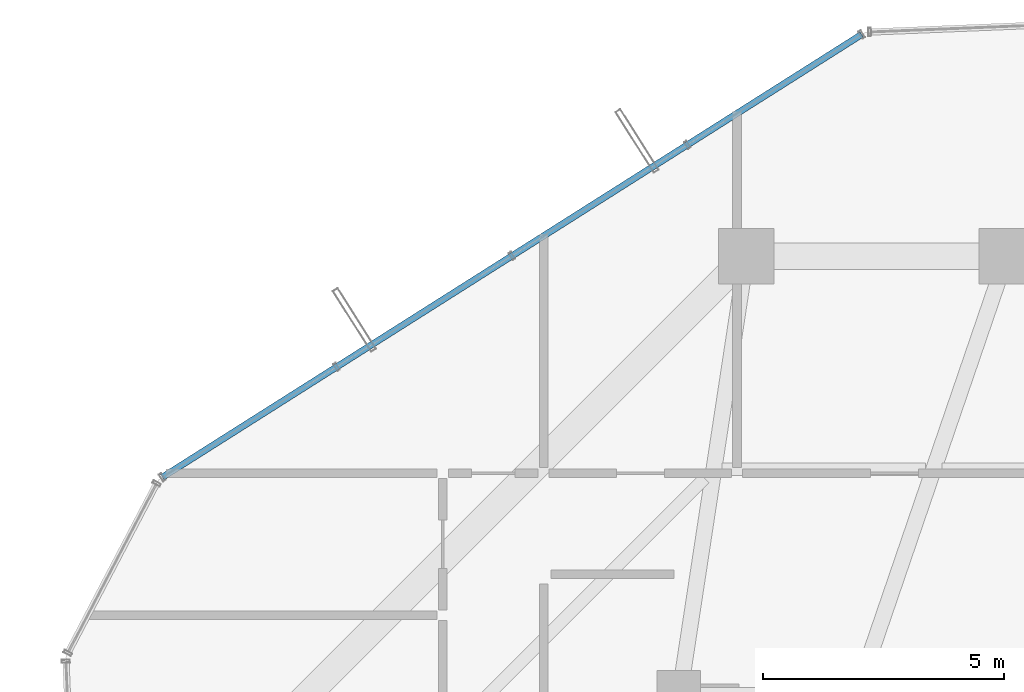
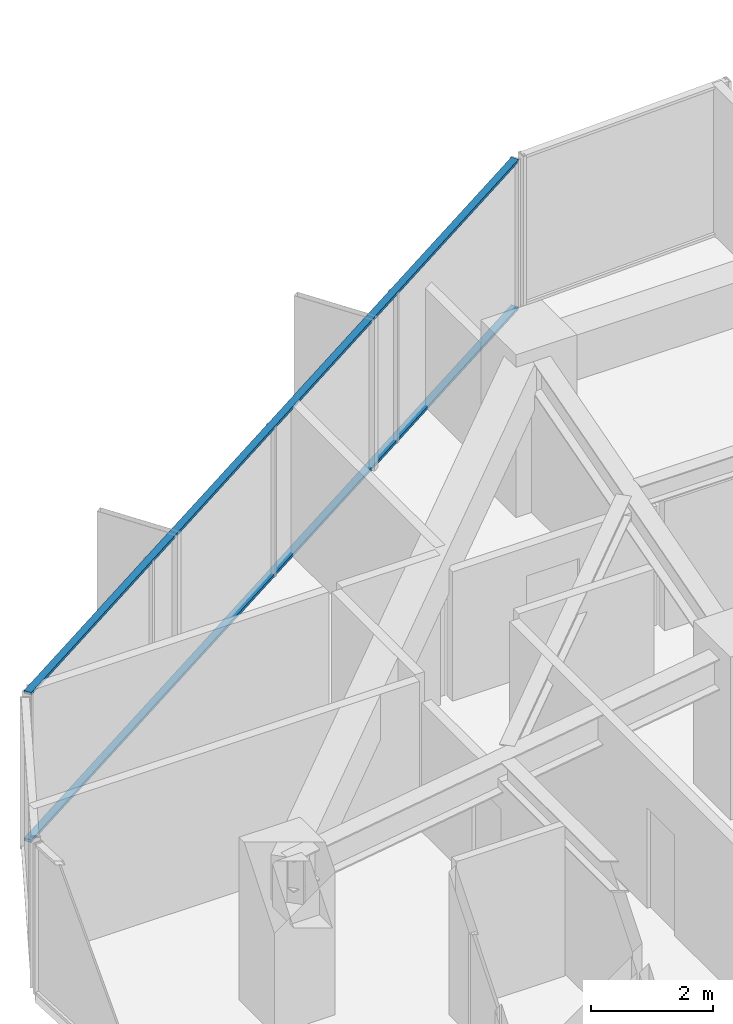
# One storey, part 19 of 32: 2 members, 1 element without a shape of its own.
"""IFC4 building model written with IfcOpenShell, lengths in metres."""

from ifc_helpers import new_model, si_unit, direction, frame, origin, origin_2d, place, context, subcontext, project, spatial, hollow_rectangle, extrude, source, transform, mapped, material, layer, layer_set, material_profile, profile_set, type_object, element, aggregate, save


model = new_model("IFC4")

# Units and contexts
model_context = context("Model", 3, precision=1e-05, world=origin(), true_north=direction((0.0, 1.0)))
body_context = subcontext(model_context, "Body", "Model", "MODEL_VIEW")
ifc_project = project(units=[si_unit("LENGTHUNIT", "METRE"), si_unit("AREAUNIT", "SQUARE_METRE"), si_unit("VOLUMEUNIT", "CUBIC_METRE"), si_unit("PLANEANGLEUNIT", "RADIAN"), si_unit("MASSUNIT", "GRAM", prefix="KILO")], contexts=[model_context])

# Site, building, storey
site_placement = place(None, origin())
site = spatial("IfcSite", under=ifc_project, at=site_placement, CompositionType="ELEMENT")
building_placement = place(site_placement, origin())
building = spatial("IfcBuilding", under=site, at=building_placement, Name="Veraguas Prism Commons", CompositionType="ELEMENT")
storey_placement = place(building_placement, frame((0.0, 0.0, 136.0)))
storey = spatial("IfcBuildingStorey", under=building, at=storey_placement, Name="L38", CompositionType="ELEMENT", Elevation=136.0)

# Curtain wall, members
ifc_material = material(Name="Anodised aluminium EN AW-6063 T6", Category="aluminium")
ifc_layer = layer(ifc_material, 0.169921875, Name="Unitised Flush Curtain Wall Zone 2", Category="aluminium")
ifc_layer_set = layer_set([ifc_layer], Name="Anodised aluminium EN AW-6063 T6")
curtain_wall_type = type_object("IfcCurtainWallType", Name="Unitised Flush Curtain Wall Zone 2", PredefinedType="NOTDEFINED", material=ifc_layer_set)
curtain_wall_placement = place(storey_placement, origin())
curtain_wall = element("IfcCurtainWall", 1, at=curtain_wall_placement, inside=storey, type_object=curtain_wall_type, Name="Tower Facade Curtain Wall L38-F2", PredefinedType="NOTDEFINED")
ifc_material_profile = material_profile(ifc_material, hollow_rectangle(XDim=0.054931640625, YDim=0.135009765625, WallThickness=0.0029296875, at=origin_2d()), Name="AL55X135X3")
ifc_profile_set = profile_set([ifc_material_profile], Name="Anodised aluminium EN AW-6063 T6")
member_type = type_object("IfcMemberType", Name="Curtain Wall Transom Standard AL 55x135x3", PredefinedType="USERDEFINED", material=ifc_profile_set)
shared_shape = source(origin(), body_context, "Body", "SweptSolid", [
    extrude(hollow_rectangle(XDim=0.054931640625, YDim=0.135009765625, WallThickness=0.0029296875, at=origin_2d()), origin(), (0.0, 0.0, 1.0), 17.17431640625),
])
member_1_placement = place(storey_placement, frame((20.99365234375, 44.800537109375, 0.027587890625), z_axis=(-0.844890821219, -0.53493878175, 0.0), x_axis=(0.0, 0.0, 1.0)))
member_1 = element("IfcMember", 2, at=member_1_placement, type_object=member_type, Name="CW-Z2 Transom 1", ObjectType="TRANSOM", PredefinedType="USERDEFINED", context=body_context, shape_type="MappedRepresentation", body=[
    mapped(shared_shape, transform((0.0, 0.0, 0.0), scale=1.0)),
])
member_2_placement = place(storey_placement, frame((20.99365234375, 44.800537109375, 2.972412109375), z_axis=(-0.844890821219, -0.53493878175, 0.0), x_axis=(0.0, 0.0, 1.0)))
member_2 = element("IfcMember", 3, at=member_2_placement, type_object=member_type, Name="CW-Z2 Transom 2", ObjectType="TRANSOM", PredefinedType="USERDEFINED", context=body_context, shape_type="MappedRepresentation", body=[
    mapped(shared_shape, transform((0.0, 0.0, 0.0), scale=1.0)),
])
aggregate(curtain_wall, [member_1, member_2])

save(model, "model.ifc")
